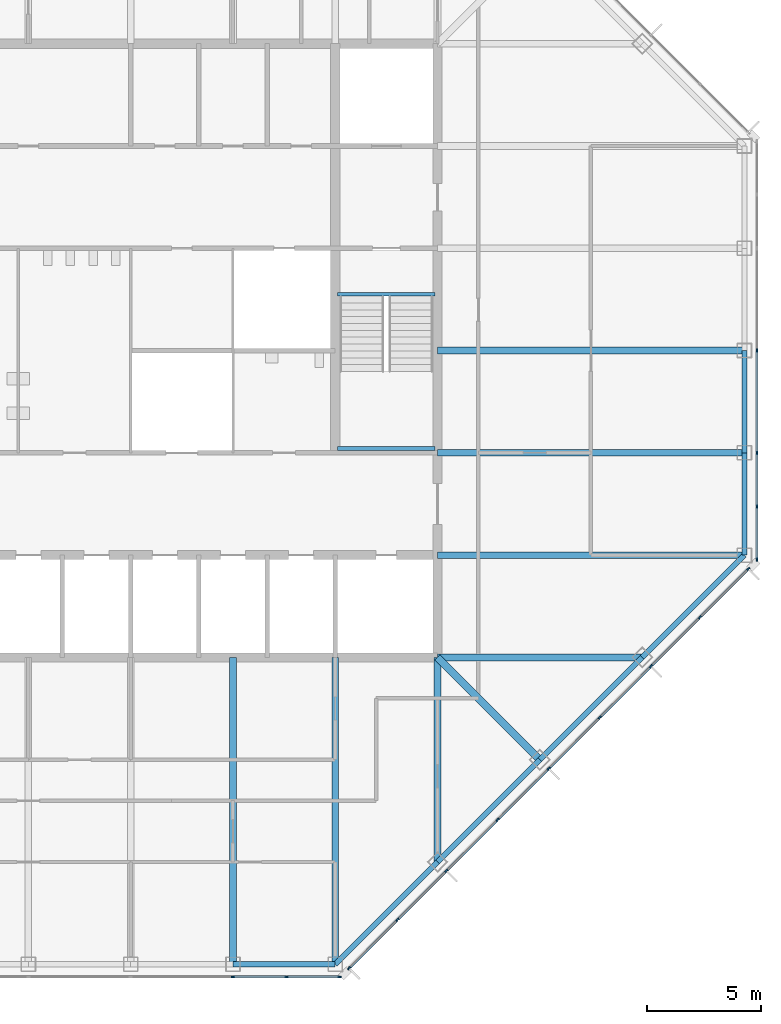
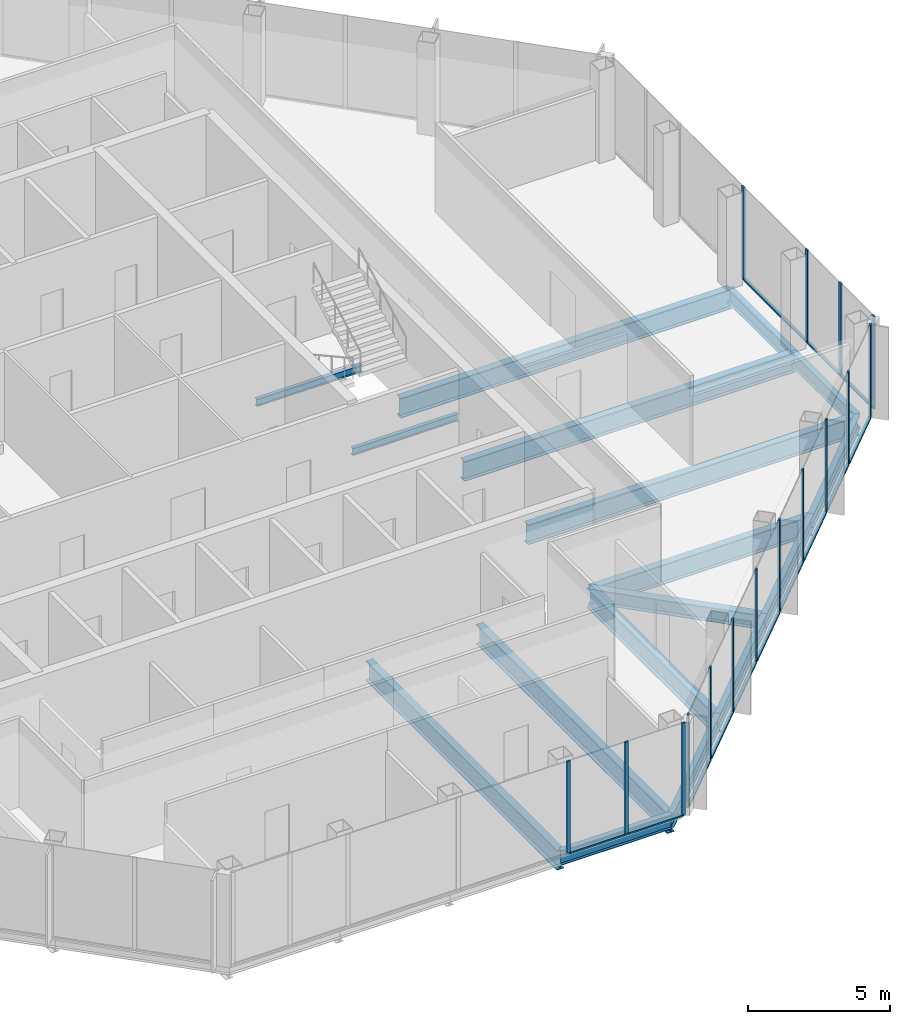
# One storey, part 4 of 14: 29 members, 17 beams, 3 elements without a shape of their own.
"""IFC4 building model written with IfcOpenShell, lengths in metres."""

from ifc_helpers import new_model, si_unit, direction, frame, origin, origin_2d, place, context, subcontext, project, spatial, rectangle, i_section, extrude, material, material_profile, profile_set, type_object, element, aggregate, save


model = new_model("IFC4")

# Units and contexts
model_context = context("Model", 3, precision=1e-05, world=origin(), true_north=direction((0.0, 1.0)))
body_context = subcontext(model_context, "Body", "Model", "MODEL_VIEW")
ifc_project = project(units=[si_unit("LENGTHUNIT", "METRE"), si_unit("AREAUNIT", "SQUARE_METRE"), si_unit("VOLUMEUNIT", "CUBIC_METRE"), si_unit("PLANEANGLEUNIT", "RADIAN"), si_unit("MASSUNIT", "GRAM", prefix="KILO")], contexts=[model_context])

# Site, building, storey
site_placement = place(None, origin())
site = spatial("IfcSite", under=ifc_project, at=site_placement, CompositionType="ELEMENT")
building_placement = place(site_placement, origin())
building = spatial("IfcBuilding", under=site, at=building_placement, Name="Corais Broadcast Tower", CompositionType="ELEMENT")
storey_placement = place(building_placement, frame((0.0, 0.0, 234.60009765625)))
storey = spatial("IfcBuildingStorey", under=building, at=storey_placement, Name="L54", CompositionType="ELEMENT", Elevation=234.60009765625)

# Beams
ifc_material_1 = material(Name="Steel ASTM A572 Grade 50", Category="steel")
ifc_material_profile_1 = material_profile(ifc_material_1, i_section(OverallWidth=0.323974609375, OverallDepth=0.611083984375, WebThickness=0.0126953125, FlangeThickness=0.01904296875, at=origin_2d()), Name="W610x155")
ifc_profile_set_1 = profile_set([ifc_material_profile_1], Name="Steel ASTM A572 Grade 50")
beam_type_1 = type_object("IfcBeamType", Name="Corner diagonal W610x155", PredefinedType="BEAM", material=ifc_profile_set_1)
beam_1_placement = place(storey_placement, frame((45.0, 9.0, -0.465576171875), z_axis=(-0.707106781187, 0.707106781187, 0.0), x_axis=(-0.707106781187, -0.707106781187, 0.0)))
element("IfcBeam", 1, at=beam_1_placement, inside=storey, type_object=beam_type_1, Name="B6 C/13 to D/12", PredefinedType="BEAM", context=body_context, shape_type="SweptSolid", body=[
    extrude(i_section(OverallWidth=0.323974609375, OverallDepth=0.611083984375, WebThickness=0.0126953125, FlangeThickness=0.01904296875, at=origin_2d()), origin(), (0.0, 0.0, 1.0), 6.364013671875),
])
ifc_material_2 = material(Name="Steel ASTM A572 Grade 50", Category="steel")
ifc_material_profile_2 = material_profile(ifc_material_2, i_section(OverallWidth=0.2939453125, OverallDepth=0.85107421875, WebThickness=0.01611328125, FlangeThickness=0.02685546875, at=origin_2d()), Name="W840x226")
ifc_profile_set_2 = profile_set([ifc_material_profile_2], Name="Steel ASTM A572 Grade 50")
beam_type_2 = type_object("IfcBeamType", Name="Floor beam W840x226", PredefinedType="BEAM", material=ifc_profile_set_2)
for number, where, z_axis, x_axis, name in (
    (2, (31.5, 0.0, -0.585693359375), (0.0, 1.0, 0.0), (-1.0, 0.0, 0.0), "B1 A/10 to D/10"),
    (3, (36.0, 0.0, -0.585693359375), (0.0, 1.0, 0.0), (-1.0, 0.0, 0.0), "B1 A/11 to D/11"),
):
    element("IfcBeam", number, at=place(storey_placement, frame(where, z_axis=z_axis, x_axis=x_axis)), inside=storey, type_object=beam_type_2, Name=name, PredefinedType="BEAM", context=body_context, shape_type="SweptSolid", body=[
        extrude(i_section(OverallWidth=0.2939453125, OverallDepth=0.85107421875, WebThickness=0.01611328125, FlangeThickness=0.02685546875, at=origin_2d()), origin(), (0.0, 0.0, 1.0), 13.5),
    ])
for number, where, z_axis, x_axis, name in (
    (4, (40.5, 4.5, -0.585693359375), (0.0, 1.0, 0.0), (-1.0, 0.0, 0.0), "B1 B/12 to D/12"),
    (5, (49.5, 13.5, -0.585693359375), (-1.0, 0.0, 0.0), (0.0, -1.0, 0.0), "B1 D/14 to D/12"),
):
    element("IfcBeam", number, at=place(storey_placement, frame(where, z_axis=z_axis, x_axis=x_axis)), inside=storey, type_object=beam_type_2, Name=name, PredefinedType="BEAM", context=body_context, shape_type="SweptSolid", body=[
        extrude(i_section(OverallWidth=0.2939453125, OverallDepth=0.85107421875, WebThickness=0.01611328125, FlangeThickness=0.02685546875, at=origin_2d()), origin(), (0.0, 0.0, 1.0), 9.0),
    ])
for number, where, z_axis, x_axis, name in (
    (6, (54.0, 18.0, -0.585693359375), (-1.0, 0.0, 0.0), (0.0, -1.0, 0.0), "B1 E/15 to E/12"),
    (7, (54.0, 22.5, -0.585693359375), (-1.0, 0.0, 0.0), (0.0, -1.0, 0.0), "B1 F/15 to F/12"),
    (8, (54.0, 27.0, -0.585693359375), (-1.0, 0.0, 0.0), (0.0, -1.0, 0.0), "B1 G/15 to G/12"),
):
    element("IfcBeam", number, at=place(storey_placement, frame(where, z_axis=z_axis, x_axis=x_axis)), inside=storey, type_object=beam_type_2, Name=name, PredefinedType="BEAM", context=body_context, shape_type="SweptSolid", body=[
        extrude(i_section(OverallWidth=0.2939453125, OverallDepth=0.85107421875, WebThickness=0.01611328125, FlangeThickness=0.02685546875, at=origin_2d()), origin(), (0.0, 0.0, 1.0), 13.5),
    ])
ifc_material_3 = material(Name="Steel ASTM A572 Grade 50", Category="steel")
ifc_material_profile_3 = material_profile(ifc_material_3, i_section(OverallWidth=0.1650390625, OverallDepth=0.31005859375, WebThickness=0.005859375, FlangeThickness=0.009765625, at=origin_2d()), Name="W310x38.7")
ifc_profile_set_3 = profile_set([ifc_material_profile_3], Name="Steel ASTM A572 Grade 50")
beam_type_3 = type_object("IfcBeamType", Name="Landing trimmer W310x38.7", PredefinedType="BEAM", material=ifc_profile_set_3)
for number, where, z_axis, x_axis, name in (
    (9, (36.10009765625, 29.47509765625, -0.35498046875), (1.0, 0.0, 0.0), (0.0, 1.0, 0.0), "LT1 stair B landing trimmer L54"),
    (10, (36.10009765625, 22.68994140625, 1.64501953125), (1.0, 0.0, 0.0), (0.0, 1.0, 0.0), "LT1 stair B half landing trimmer L54"),
):
    element("IfcBeam", number, at=place(storey_placement, frame(where, z_axis=z_axis, x_axis=x_axis)), inside=storey, type_object=beam_type_3, Name=name, PredefinedType="BEAM", context=body_context, shape_type="SweptSolid", body=[
        extrude(i_section(OverallWidth=0.1650390625, OverallDepth=0.31005859375, WebThickness=0.005859375, FlangeThickness=0.009765625, at=origin_2d()), origin(), (0.0, 0.0, 1.0), 4.2998046875),
    ])

# Curtain wall, members
ifc_material_4 = material(Name="Aluminium and glass", Category="aluminium")
curtain_wall_type = type_object("IfcCurtainWallType", Name="Unitised fritted curtain wall CW3", PredefinedType="NOTDEFINED", material=ifc_material_4)
curtain_wall_1_placement = place(storey_placement, origin())
curtain_wall_1 = element("IfcCurtainWall", 11, at=curtain_wall_1_placement, inside=storey, type_object=curtain_wall_type, Name="CW3 curtain wall L54 6", PredefinedType="NOTDEFINED")
ifc_material_5 = material(Name="Aluminium 6063-T6", Category="aluminium")
ifc_material_profile_4 = material_profile(ifc_material_5, rectangle(XDim=0.06494140625, YDim=0.159912109375, at=origin_2d()), Name="Mullion CW3 65x160")
ifc_profile_set_4 = profile_set([ifc_material_profile_4], Name="Aluminium 6063-T6")
member_type_1 = type_object("IfcMemberType", Name="Mullion CW3 65x160", PredefinedType="MULLION", material=ifc_profile_set_4)
member_1_placement = place(storey_placement, frame((54.550048828125, 27.0, 0.0), z_axis=(0.0, 0.0, 1.0), x_axis=(1.0, 0.0, 0.0)))
member_1 = element("IfcMember", 12, at=member_1_placement, type_object=member_type_1, Name="CW3 mullion 4", PredefinedType="MULLION", context=body_context, shape_type="SweptSolid", body=[
    extrude(rectangle(XDim=0.06494140625, YDim=0.159912109375, at=origin_2d()), origin(), (0.0, 0.0, 1.0), 4.0),
])
member_2_placement = place(storey_placement, frame((54.550048828125, 22.5, 0.0), z_axis=(0.0, 0.0, 1.0), x_axis=(1.0, 0.0, 0.0)))
member_2 = element("IfcMember", 13, at=member_2_placement, type_object=member_type_1, Name="CW3 mullion 5", PredefinedType="MULLION", context=body_context, shape_type="SweptSolid", body=[
    extrude(rectangle(XDim=0.06494140625, YDim=0.159912109375, at=origin_2d()), origin(), (0.0, 0.0, 1.0), 4.0),
])
member_3_placement = place(storey_placement, frame((54.550048828125, 20.135986328125, 0.0), z_axis=(0.0, 0.0, 1.0), x_axis=(1.0, 0.0, 0.0)))
member_3 = element("IfcMember", 14, at=member_3_placement, type_object=member_type_1, Name="CW3 mullion 6", PredefinedType="MULLION", context=body_context, shape_type="SweptSolid", body=[
    extrude(rectangle(XDim=0.06494140625, YDim=0.159912109375, at=origin_2d()), origin(), (0.0, 0.0, 1.0), 4.0),
])
member_4_placement = place(storey_placement, frame((54.550048828125, 17.8046875, 0.0), z_axis=(0.0, 0.0, 1.0), x_axis=(1.0, 0.0, 0.0)))
member_4 = element("IfcMember", 15, at=member_4_placement, type_object=member_type_1, Name="CW3 mullion 7", PredefinedType="MULLION", context=body_context, shape_type="SweptSolid", body=[
    extrude(rectangle(XDim=0.06494140625, YDim=0.159912109375, at=origin_2d()), origin(), (0.0, 0.0, 1.0), 4.0),
])

curtain_wall_2_placement = place(storey_placement, origin())
curtain_wall_2 = element("IfcCurtainWall", 16, at=curtain_wall_2_placement, inside=storey, type_object=curtain_wall_type, Name="CW3 curtain wall L54 7", PredefinedType="NOTDEFINED")
member_5_placement = place(storey_placement, frame((54.17333984375, 17.3955078125, 0.0), z_axis=(0.0, 0.0, 1.0), x_axis=(0.707106781187, -0.707106781187, 0.0)))
member_5 = element("IfcMember", 17, at=member_5_placement, type_object=member_type_1, Name="CW3 mullion 1", PredefinedType="MULLION", context=body_context, shape_type="SweptSolid", body=[
    extrude(rectangle(XDim=0.06494140625, YDim=0.159912109375, at=origin_2d()), origin(), (0.0, 0.0, 1.0), 4.0),
])
member_6_placement = place(storey_placement, frame((52.042724609375, 15.264892578125, 0.0), z_axis=(0.0, 0.0, 1.0), x_axis=(0.707106781187, -0.707106781187, 0.0)))
member_6 = element("IfcMember", 18, at=member_6_placement, type_object=member_type_1, Name="CW3 mullion 2", PredefinedType="MULLION", context=body_context, shape_type="SweptSolid", body=[
    extrude(rectangle(XDim=0.06494140625, YDim=0.159912109375, at=origin_2d()), origin(), (0.0, 0.0, 1.0), 4.0),
])
member_7_placement = place(storey_placement, frame((49.888916015625, 13.111083984375, 0.0), z_axis=(0.0, 0.0, 1.0), x_axis=(0.707106781187, -0.707106781187, 0.0)))
member_7 = element("IfcMember", 19, at=member_7_placement, type_object=member_type_1, Name="CW3 mullion 3", PredefinedType="MULLION", context=body_context, shape_type="SweptSolid", body=[
    extrude(rectangle(XDim=0.06494140625, YDim=0.159912109375, at=origin_2d()), origin(), (0.0, 0.0, 1.0), 4.0),
])
member_8_placement = place(storey_placement, frame((47.638916015625, 10.861083984375, 0.0), z_axis=(0.0, 0.0, 1.0), x_axis=(0.707106781187, -0.707106781187, 0.0)))
member_8 = element("IfcMember", 20, at=member_8_placement, type_object=member_type_1, Name="CW3 mullion 4", PredefinedType="MULLION", context=body_context, shape_type="SweptSolid", body=[
    extrude(rectangle(XDim=0.06494140625, YDim=0.159912109375, at=origin_2d()), origin(), (0.0, 0.0, 1.0), 4.0),
])
member_9_placement = place(storey_placement, frame((45.388916015625, 8.611083984375, 0.0), z_axis=(0.0, 0.0, 1.0), x_axis=(0.707106781187, -0.707106781187, 0.0)))
member_9 = element("IfcMember", 21, at=member_9_placement, type_object=member_type_1, Name="CW3 mullion 5", PredefinedType="MULLION", context=body_context, shape_type="SweptSolid", body=[
    extrude(rectangle(XDim=0.06494140625, YDim=0.159912109375, at=origin_2d()), origin(), (0.0, 0.0, 1.0), 4.0),
])
member_10_placement = place(storey_placement, frame((43.138916015625, 6.361083984375, 0.0), z_axis=(0.0, 0.0, 1.0), x_axis=(0.707106781187, -0.707106781187, 0.0)))
member_10 = element("IfcMember", 22, at=member_10_placement, type_object=member_type_1, Name="CW3 mullion 6", PredefinedType="MULLION", context=body_context, shape_type="SweptSolid", body=[
    extrude(rectangle(XDim=0.06494140625, YDim=0.159912109375, at=origin_2d()), origin(), (0.0, 0.0, 1.0), 4.0),
])
member_11_placement = place(storey_placement, frame((40.888916015625, 4.111083984375, 0.0), z_axis=(0.0, 0.0, 1.0), x_axis=(0.707106781187, -0.707106781187, 0.0)))
member_11 = element("IfcMember", 23, at=member_11_placement, type_object=member_type_1, Name="CW3 mullion 7", PredefinedType="MULLION", context=body_context, shape_type="SweptSolid", body=[
    extrude(rectangle(XDim=0.06494140625, YDim=0.159912109375, at=origin_2d()), origin(), (0.0, 0.0, 1.0), 4.0),
])
member_12_placement = place(storey_placement, frame((38.735107421875, 1.957275390625, 0.0), z_axis=(0.0, 0.0, 1.0), x_axis=(0.707106781187, -0.707106781187, 0.0)))
member_12 = element("IfcMember", 24, at=member_12_placement, type_object=member_type_1, Name="CW3 mullion 8", PredefinedType="MULLION", context=body_context, shape_type="SweptSolid", body=[
    extrude(rectangle(XDim=0.06494140625, YDim=0.159912109375, at=origin_2d()), origin(), (0.0, 0.0, 1.0), 4.0),
])
member_13_placement = place(storey_placement, frame((36.6044921875, -0.17333984375, 0.0), z_axis=(0.0, 0.0, 1.0), x_axis=(0.707106781187, -0.707106781187, 0.0)))
member_13 = element("IfcMember", 25, at=member_13_placement, type_object=member_type_1, Name="CW3 mullion 9", PredefinedType="MULLION", context=body_context, shape_type="SweptSolid", body=[
    extrude(rectangle(XDim=0.06494140625, YDim=0.159912109375, at=origin_2d()), origin(), (0.0, 0.0, 1.0), 4.0),
])

curtain_wall_3_placement = place(storey_placement, origin())
curtain_wall_3 = element("IfcCurtainWall", 26, at=curtain_wall_3_placement, inside=storey, type_object=curtain_wall_type, Name="CW3 curtain wall L54 8", PredefinedType="NOTDEFINED")
member_14_placement = place(storey_placement, frame((36.1953125, -0.550048828125, 0.0), z_axis=(0.0, 0.0, 1.0), x_axis=(0.0, -1.0, 0.0)))
member_14 = element("IfcMember", 27, at=member_14_placement, type_object=member_type_1, Name="CW3 mullion 1", PredefinedType="MULLION", context=body_context, shape_type="SweptSolid", body=[
    extrude(rectangle(XDim=0.06494140625, YDim=0.159912109375, at=origin_2d()), origin(), (0.0, 0.0, 1.0), 4.0),
])
member_15_placement = place(storey_placement, frame((33.864013671875, -0.550048828125, 0.0), z_axis=(0.0, 0.0, 1.0), x_axis=(0.0, -1.0, 0.0)))
member_15 = element("IfcMember", 28, at=member_15_placement, type_object=member_type_1, Name="CW3 mullion 2", PredefinedType="MULLION", context=body_context, shape_type="SweptSolid", body=[
    extrude(rectangle(XDim=0.06494140625, YDim=0.159912109375, at=origin_2d()), origin(), (0.0, 0.0, 1.0), 4.0),
])
member_16_placement = place(storey_placement, frame((31.5, -0.550048828125, 0.0), z_axis=(0.0, 0.0, 1.0), x_axis=(0.0, -1.0, 0.0)))
member_16 = element("IfcMember", 29, at=member_16_placement, type_object=member_type_1, Name="CW3 mullion 3", PredefinedType="MULLION", context=body_context, shape_type="SweptSolid", body=[
    extrude(rectangle(XDim=0.06494140625, YDim=0.159912109375, at=origin_2d()), origin(), (0.0, 0.0, 1.0), 4.0),
])

# Beams
ifc_material_6 = material(Name="Steel ASTM A572 Grade 50", Category="steel")
ifc_material_profile_5 = material_profile(ifc_material_6, i_section(OverallWidth=0.22998046875, OverallDepth=0.616943359375, WebThickness=0.01318359375, FlangeThickness=0.022216796875, at=origin_2d()), Name="W610x140")
ifc_profile_set_5 = profile_set([ifc_material_profile_5], Name="Steel ASTM A572 Grade 50")
beam_type_4 = type_object("IfcBeamType", Name="Spandrel W610x140", PredefinedType="BEAM", material=ifc_profile_set_5)
beam_2_placement = place(storey_placement, frame((31.5, 0.0, -0.468505859375), z_axis=(1.0, 0.0, 0.0), x_axis=(0.0, 1.0, 0.0)))
element("IfcBeam", 30, at=beam_2_placement, inside=storey, type_object=beam_type_4, Name="SB3 A/10 to A/11", PredefinedType="BEAM", context=body_context, shape_type="SweptSolid", body=[
    extrude(i_section(OverallWidth=0.22998046875, OverallDepth=0.616943359375, WebThickness=0.01318359375, FlangeThickness=0.022216796875, at=origin_2d()), origin(), (0.0, 0.0, 1.0), 4.5),
])
for number, where, z_axis, x_axis, name in (
    (31, (36.0, 0.0, -0.468505859375), (0.707106781187, 0.707106781187, 0.0), (-0.707106781187, 0.707106781187, 0.0), "SB3 A/11 to B/12"),
    (32, (40.5, 4.5, -0.468505859375), (0.707106781187, 0.707106781187, 0.0), (-0.707106781187, 0.707106781187, 0.0), "SB3 B/12 to C/13"),
    (33, (45.0, 9.0, -0.468505859375), (0.707106781187, 0.707106781187, 0.0), (-0.707106781187, 0.707106781187, 0.0), "SB3 C/13 to D/14"),
    (34, (49.5, 13.5, -0.468505859375), (0.707106781187, 0.707106781187, 0.0), (-0.707106781187, 0.707106781187, 0.0), "SB3 D/14 to E/15"),
):
    element("IfcBeam", number, at=place(storey_placement, frame(where, z_axis=z_axis, x_axis=x_axis)), inside=storey, type_object=beam_type_4, Name=name, PredefinedType="BEAM", context=body_context, shape_type="SweptSolid", body=[
        extrude(i_section(OverallWidth=0.22998046875, OverallDepth=0.616943359375, WebThickness=0.01318359375, FlangeThickness=0.022216796875, at=origin_2d()), origin(), (0.0, 0.0, 1.0), 6.364013671875),
    ])
for number, where, z_axis, x_axis, name in (
    (35, (54.0, 18.0, -0.468505859375), (0.0, 1.0, 0.0), (-1.0, 0.0, 0.0), "SB3 E/15 to F/15"),
    (36, (54.0, 22.5, -0.468505859375), (0.0, 1.0, 0.0), (-1.0, 0.0, 0.0), "SB3 F/15 to G/15"),
):
    element("IfcBeam", number, at=place(storey_placement, frame(where, z_axis=z_axis, x_axis=x_axis)), inside=storey, type_object=beam_type_4, Name=name, PredefinedType="BEAM", context=body_context, shape_type="SweptSolid", body=[
        extrude(i_section(OverallWidth=0.22998046875, OverallDepth=0.616943359375, WebThickness=0.01318359375, FlangeThickness=0.022216796875, at=origin_2d()), origin(), (0.0, 0.0, 1.0), 4.5),
    ])

# Member
ifc_material_7 = material(Name="Aluminium 6063-T6", Category="aluminium")
ifc_material_profile_6 = material_profile(ifc_material_7, rectangle(XDim=0.1201171875, YDim=0.06494140625, at=origin_2d()), Name="Transom CW3 65x120")
ifc_profile_set_6 = profile_set([ifc_material_profile_6], Name="Aluminium 6063-T6")
member_type_2 = type_object("IfcMemberType", Name="Transom CW3 65x120", PredefinedType="USERDEFINED", material=ifc_profile_set_6)
member_17_placement = place(storey_placement, frame((54.550048828125, 26.967529296875, 0.032470703125), z_axis=(0.0, -1.0, 0.0), x_axis=(1.0, 0.0, 0.0)))
member_17 = element("IfcMember", 37, at=member_17_placement, type_object=member_type_2, Name="CW3 transom 4.1", ObjectType="TRANSOM", PredefinedType="USERDEFINED", context=body_context, shape_type="SweptSolid", body=[
    extrude(rectangle(XDim=0.1201171875, YDim=0.06494140625, at=origin_2d()), origin(), (0.0, 0.0, 1.0), 4.43505859375),
])

member_18_placement = place(storey_placement, frame((54.550048828125, 22.467529296875, 0.032470703125), z_axis=(0.0, -1.0, 0.0), x_axis=(1.0, 0.0, 0.0)))
member_18 = element("IfcMember", 38, at=member_18_placement, type_object=member_type_2, Name="CW3 transom 5.1", ObjectType="TRANSOM", PredefinedType="USERDEFINED", context=body_context, shape_type="SweptSolid", body=[
    extrude(rectangle(XDim=0.1201171875, YDim=0.06494140625, at=origin_2d()), origin(), (0.0, 0.0, 1.0), 2.298828125),
])

member_19_placement = place(storey_placement, frame((54.550048828125, 20.103515625, 0.032470703125), z_axis=(0.0, -1.0, 0.0), x_axis=(1.0, 0.0, 0.0)))
member_19 = element("IfcMember", 39, at=member_19_placement, type_object=member_type_2, Name="CW3 transom 6.1", ObjectType="TRANSOM", PredefinedType="USERDEFINED", context=body_context, shape_type="SweptSolid", body=[
    extrude(rectangle(XDim=0.1201171875, YDim=0.06494140625, at=origin_2d()), origin(), (0.0, 0.0, 1.0), 2.266357421875),
])

aggregate(curtain_wall_1, [member_1, member_2, member_3, member_4, member_17, member_18, member_19])

member_20_placement = place(storey_placement, frame((54.150390625, 17.37255859375, 0.032470703125), z_axis=(-0.707106781187, -0.707106781187, 0.0), x_axis=(0.707106781187, -0.707106781187, 0.0)))
member_20 = element("IfcMember", 40, at=member_20_placement, type_object=member_type_2, Name="CW3 transom 1.1", ObjectType="TRANSOM", PredefinedType="USERDEFINED", context=body_context, shape_type="SweptSolid", body=[
    extrude(rectangle(XDim=0.1201171875, YDim=0.06494140625, at=origin_2d()), origin(), (0.0, 0.0, 1.0), 2.9482421875),
])

member_21_placement = place(storey_placement, frame((52.019775390625, 15.241943359375, 0.032470703125), z_axis=(-0.707106781187, -0.707106781187, 0.0), x_axis=(0.707106781187, -0.707106781187, 0.0)))
member_21 = element("IfcMember", 41, at=member_21_placement, type_object=member_type_2, Name="CW3 transom 2.1", ObjectType="TRANSOM", PredefinedType="USERDEFINED", context=body_context, shape_type="SweptSolid", body=[
    extrude(rectangle(XDim=0.1201171875, YDim=0.06494140625, at=origin_2d()), origin(), (0.0, 0.0, 1.0), 2.98095703125),
])

member_22_placement = place(storey_placement, frame((49.865966796875, 13.088134765625, 0.032470703125), z_axis=(-0.707106781187, -0.707106781187, 0.0), x_axis=(0.707106781187, -0.707106781187, 0.0)))
member_22 = element("IfcMember", 42, at=member_22_placement, type_object=member_type_2, Name="CW3 transom 3.1", ObjectType="TRANSOM", PredefinedType="USERDEFINED", context=body_context, shape_type="SweptSolid", body=[
    extrude(rectangle(XDim=0.1201171875, YDim=0.06494140625, at=origin_2d()), origin(), (0.0, 0.0, 1.0), 3.1171875),
])

member_23_placement = place(storey_placement, frame((47.615966796875, 10.838134765625, 0.032470703125), z_axis=(-0.707106781187, -0.707106781187, 0.0), x_axis=(0.707106781187, -0.707106781187, 0.0)))
member_23 = element("IfcMember", 43, at=member_23_placement, type_object=member_type_2, Name="CW3 transom 4.1", ObjectType="TRANSOM", PredefinedType="USERDEFINED", context=body_context, shape_type="SweptSolid", body=[
    extrude(rectangle(XDim=0.1201171875, YDim=0.06494140625, at=origin_2d()), origin(), (0.0, 0.0, 1.0), 3.1171875),
])

member_24_placement = place(storey_placement, frame((45.365966796875, 8.588134765625, 0.032470703125), z_axis=(-0.707106781187, -0.707106781187, 0.0), x_axis=(0.707106781187, -0.707106781187, 0.0)))
member_24 = element("IfcMember", 44, at=member_24_placement, type_object=member_type_2, Name="CW3 transom 5.1", ObjectType="TRANSOM", PredefinedType="USERDEFINED", context=body_context, shape_type="SweptSolid", body=[
    extrude(rectangle(XDim=0.1201171875, YDim=0.06494140625, at=origin_2d()), origin(), (0.0, 0.0, 1.0), 3.1171875),
])

member_25_placement = place(storey_placement, frame((43.115966796875, 6.338134765625, 0.032470703125), z_axis=(-0.707106781187, -0.707106781187, 0.0), x_axis=(0.707106781187, -0.707106781187, 0.0)))
member_25 = element("IfcMember", 45, at=member_25_placement, type_object=member_type_2, Name="CW3 transom 6.1", ObjectType="TRANSOM", PredefinedType="USERDEFINED", context=body_context, shape_type="SweptSolid", body=[
    extrude(rectangle(XDim=0.1201171875, YDim=0.06494140625, at=origin_2d()), origin(), (0.0, 0.0, 1.0), 3.1171875),
])

member_26_placement = place(storey_placement, frame((40.865966796875, 4.088134765625, 0.032470703125), z_axis=(-0.70714773134, -0.707065828661, 0.0), x_axis=(0.707065828661, -0.70714773134, 0.0)))
member_26 = element("IfcMember", 46, at=member_26_placement, type_object=member_type_2, Name="CW3 transom 7.1", ObjectType="TRANSOM", PredefinedType="USERDEFINED", context=body_context, shape_type="SweptSolid", body=[
    extrude(rectangle(XDim=0.1201171875, YDim=0.06494140625, at=origin_2d()), origin(), (0.0, 0.0, 1.0), 2.98095703125),
])

member_27_placement = place(storey_placement, frame((38.712158203125, 1.934326171875, 0.032470703125), z_axis=(-0.707106781187, -0.707106781187, 0.0), x_axis=(0.707106781187, -0.707106781187, 0.0)))
member_27 = element("IfcMember", 47, at=member_27_placement, type_object=member_type_2, Name="CW3 transom 8.1", ObjectType="TRANSOM", PredefinedType="USERDEFINED", context=body_context, shape_type="SweptSolid", body=[
    extrude(rectangle(XDim=0.1201171875, YDim=0.06494140625, at=origin_2d()), origin(), (0.0, 0.0, 1.0), 2.9482421875),
])

aggregate(curtain_wall_2, [member_5, member_6, member_7, member_8, member_9, member_10, member_11, member_12, member_13, member_20, member_21, member_22, member_23, member_24, member_25, member_26, member_27])

member_28_placement = place(storey_placement, frame((36.162841796875, -0.550048828125, 0.032470703125), z_axis=(-1.0, 0.0, 0.0), x_axis=(0.0, -1.0, 0.0)))
member_28 = element("IfcMember", 48, at=member_28_placement, type_object=member_type_2, Name="CW3 transom 1.1", ObjectType="TRANSOM", PredefinedType="USERDEFINED", context=body_context, shape_type="SweptSolid", body=[
    extrude(rectangle(XDim=0.1201171875, YDim=0.06494140625, at=origin_2d()), origin(), (0.0, 0.0, 1.0), 2.266357421875),
])

member_29_placement = place(storey_placement, frame((33.831298828125, -0.550048828125, 0.032470703125), z_axis=(-1.0, 0.0, 0.0), x_axis=(0.0, -1.0, 0.0)))
member_29 = element("IfcMember", 49, at=member_29_placement, type_object=member_type_2, Name="CW3 transom 2.1", ObjectType="TRANSOM", PredefinedType="USERDEFINED", context=body_context, shape_type="SweptSolid", body=[
    extrude(rectangle(XDim=0.1201171875, YDim=0.06494140625, at=origin_2d()), origin(), (0.0, 0.0, 1.0), 2.298828125),
])

aggregate(curtain_wall_3, [member_14, member_15, member_16, member_28, member_29])

save(model, "model.ifc")
